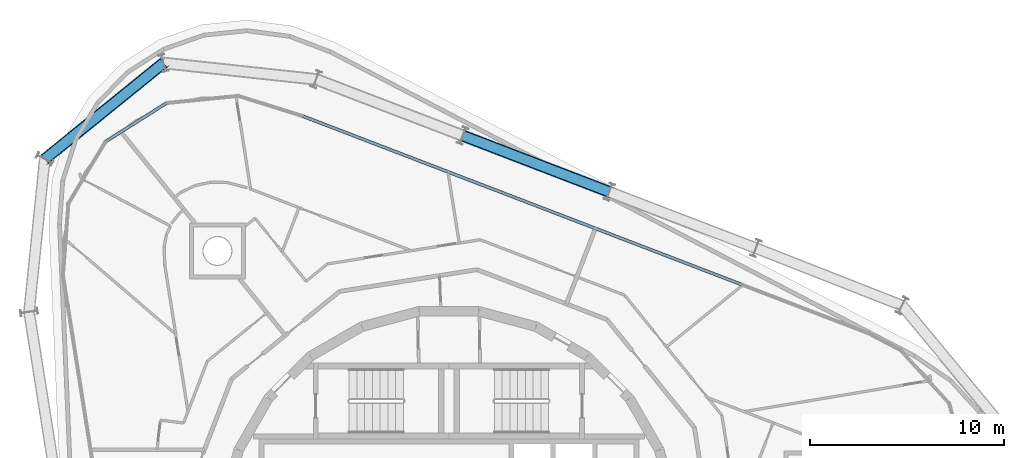
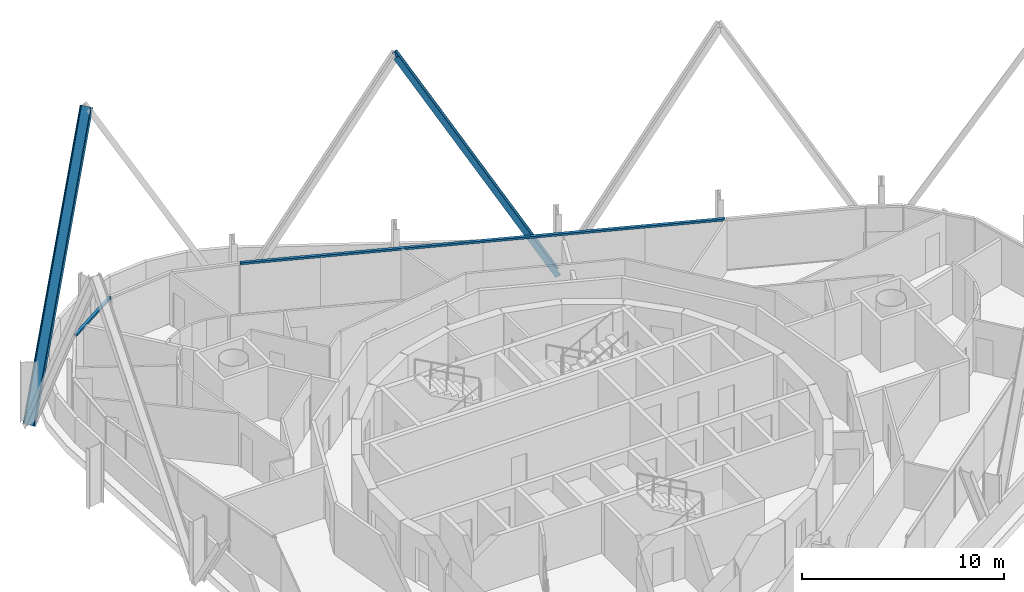
# One storey, part 7 of 19: 4 members, 2 elements without a shape of their own.
"""IFC4 building model written with IfcOpenShell, lengths in metres."""

from ifc_helpers import new_model, si_unit, direction, frame, origin, origin_2d, place, context, subcontext, project, spatial, rectangle, i_section, extrude, material, layer, layer_set, material_profile, profile_set, type_object, element, aggregate, save


model = new_model("IFC4")

# Units and contexts
model_context = context("Model", 3, precision=1e-05, world=origin(), true_north=direction((0.0, 1.0)))
body_context = subcontext(model_context, "Body", "Model", "MODEL_VIEW")
ifc_project = project(units=[si_unit("LENGTHUNIT", "METRE"), si_unit("AREAUNIT", "SQUARE_METRE"), si_unit("VOLUMEUNIT", "CUBIC_METRE"), si_unit("PLANEANGLEUNIT", "RADIAN"), si_unit("MASSUNIT", "GRAM", prefix="KILO")], contexts=[model_context])

# Site, building, storey
site_placement = place(None, origin())
site = spatial("IfcSite", under=ifc_project, at=site_placement, CompositionType="ELEMENT")
building_placement = place(site_placement, origin())
building = spatial("IfcBuilding", under=site, at=building_placement, Name="Spindle Arch Residences", CompositionType="ELEMENT")
storey_placement = place(building_placement, frame((0.0, 0.0, 263.39990234375)))
storey = spatial("IfcBuildingStorey", under=building, at=storey_placement, Name="L67", CompositionType="ELEMENT", Elevation=263.39990234375)

# Curtain wall, member
ifc_material_1 = material(Name="Aluminium bronze unitised frame with tinted glass", Category="aluminium")
ifc_layer_1 = layer(ifc_material_1, 0.159912109375)
ifc_layer_set_1 = layer_set([ifc_layer_1], Name="CW-C typical residential unitised wall")
curtain_wall_type_1 = type_object("IfcCurtainWallType", Name="CW-C typical residential unitised wall", PredefinedType="NOTDEFINED", material=ifc_layer_set_1)
curtain_wall_1_placement = place(storey_placement, origin())
curtain_wall_1 = element("IfcCurtainWall", 1, at=curtain_wall_1_placement, inside=storey, type_object=curtain_wall_type_1, Name="CW-C L67 run 2", PredefinedType="NOTDEFINED")
ifc_material_2 = material(Name="Aluminium bronze anodised transom", Category="aluminium")
ifc_material_profile_1 = material_profile(ifc_material_2, rectangle(XDim=0.159912109375, YDim=0.1201171875, at=origin_2d()), Name="TR 120x160")
ifc_profile_set_1 = profile_set([ifc_material_profile_1], Name="Aluminium bronze anodised transom")
member_type_1 = type_object("IfcMemberType", Name="Bronze transom 120x160", PredefinedType="USERDEFINED", material=ifc_profile_set_1)
member_1_placement = place(storey_placement, frame((15.1015625, 13.0302734375, 3.06005859375), z_axis=(-0.933583473728, 0.358360011138, 0.0), x_axis=(-0.358360011138, -0.933583473728, 0.0)))
member_1 = element("IfcMember", 2, at=member_1_placement, type_object=member_type_1, Name="CW-C transom 00", ObjectType="TRANSOM", PredefinedType="USERDEFINED", context=body_context, shape_type="SweptSolid", body=[
    extrude(rectangle(XDim=0.159912109375, YDim=0.1201171875, at=origin_2d()), origin(), (0.0, 0.0, 1.0), 24.262939453125),
])
aggregate(curtain_wall_1, [member_1])

ifc_material_3 = material(Name="Aluminium bronze unitised frame with tinted glass", Category="aluminium")
ifc_layer_2 = layer(ifc_material_3, 0.159912109375)
ifc_layer_set_2 = layer_set([ifc_layer_2], Name="CW-D corner wall on the fillet arcs")
curtain_wall_type_2 = type_object("IfcCurtainWallType", Name="CW-D corner wall on the fillet arcs", PredefinedType="NOTDEFINED", material=ifc_layer_set_2)
curtain_wall_2_placement = place(storey_placement, origin())
curtain_wall_2 = element("IfcCurtainWall", 3, at=curtain_wall_2_placement, inside=storey, type_object=curtain_wall_type_2, Name="CW-D L67 run 3", PredefinedType="NOTDEFINED")
member_2_placement = place(storey_placement, frame((-14.608642578125, 22.38427734375, 3.06005859375), z_axis=(-0.844958488621, -0.53483189182, 0.0), x_axis=(0.53483189182, -0.844958488621, 0.0)))
member_2 = element("IfcMember", 4, at=member_2_placement, type_object=member_type_1, Name="CW-D transom 02", ObjectType="TRANSOM", PredefinedType="USERDEFINED", context=body_context, shape_type="SweptSolid", body=[
    extrude(rectangle(XDim=0.159912109375, YDim=0.1201171875, at=origin_2d()), origin(), (0.0, 0.0, 1.0), 3.6669921875),
])
aggregate(curtain_wall_2, [member_2])

# Members
ifc_material_4 = material(Name="Steel S460ML, intumescent coating R 240", Category="steel")
ifc_material_profile_2 = material_profile(ifc_material_4, i_section(OverallWidth=0.300048828125, OverallDepth=0.60009765625, WebThickness=0.015380859375, FlangeThickness=0.030029296875, FilletRadius=0.027099609375, at=origin_2d()), Name="HEB 600")
ifc_profile_set_2 = profile_set([ifc_material_profile_2], Name="Steel S460ML, intumescent coating R 240")
member_type_2 = type_object("IfcMemberType", Name="Diagrid diagonal HEB 600", PredefinedType="BRACE", material=ifc_profile_set_2)
member_3_placement = place(storey_placement, frame((8.2841796875, 17.810791015625, -0.699951171875), z_axis=(-0.466110302111, 0.178923933343, 0.866445273715), x_axis=(0.808895795427, -0.310507656078, 0.499272057757)))
element("IfcMember", 5, at=member_3_placement, inside=storey, type_object=member_type_2, Name="Diagrid diagonal 7.1.7", PredefinedType="BRACE", context=body_context, shape_type="SweptSolid", body=[
    extrude(i_section(OverallWidth=0.300048828125, OverallDepth=0.60009765625, WebThickness=0.015380859375, FlangeThickness=0.030029296875, FilletRadius=0.027099609375, at=origin_2d()), origin(), (0.0, 0.0, 1.0), 16.23876953125),
])
member_4_placement = place(storey_placement, frame((-20.870361328125, 19.502685546875, -0.699951171875), z_axis=(0.380176633723, 0.307852119072, 0.872177046221), x_axis=(-0.677816584883, -0.548869271513, 0.489190351546)))
element("IfcMember", 6, at=member_4_placement, inside=storey, type_object=member_type_2, Name="Diagrid diagonal 7.1.10", PredefinedType="BRACE", context=body_context, shape_type="SweptSolid", body=[
    extrude(i_section(OverallWidth=0.300048828125, OverallDepth=0.60009765625, WebThickness=0.015380859375, FlangeThickness=0.030029296875, FilletRadius=0.027099609375, at=origin_2d()), origin(), (0.0, 0.0, 1.0), 16.132080078125),
])

save(model, "model.ifc")
